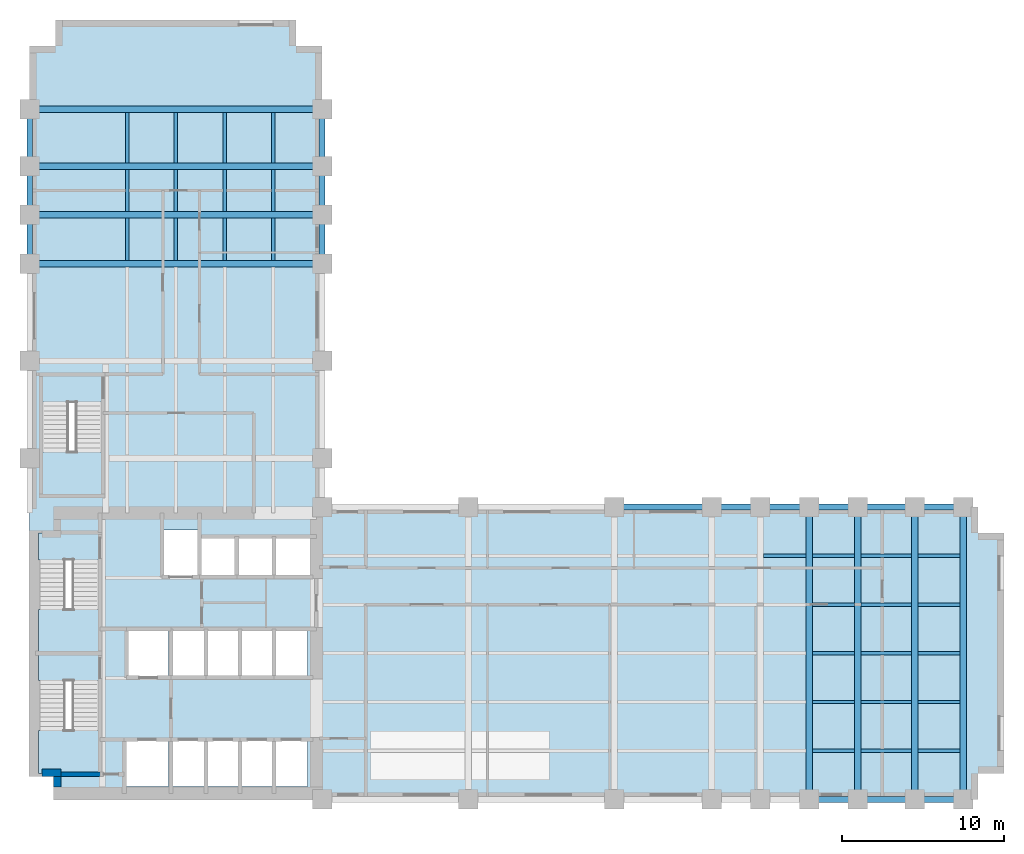
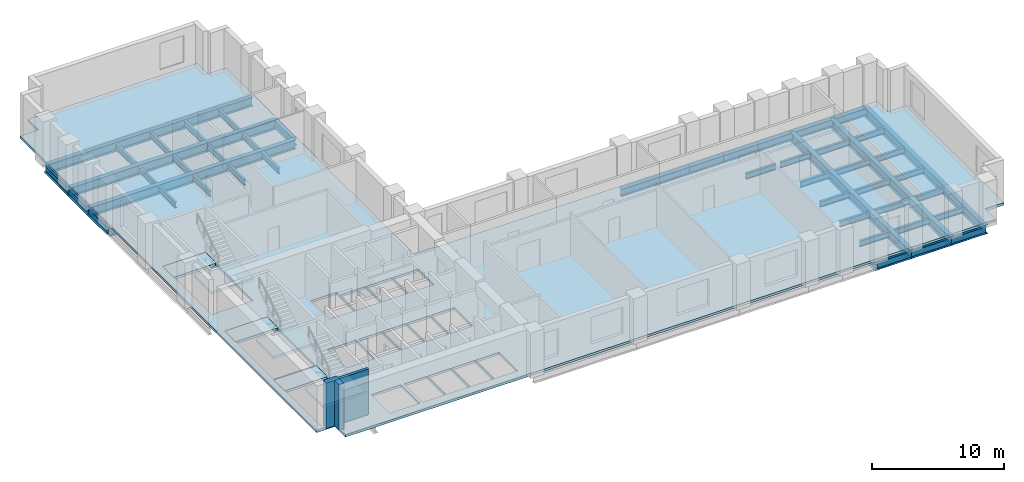
# One storey, part 2 of 7: 51 beams, 7 slabs, 3 walls, 3 elements without a shape of their own.
"""IFC4 building model written with IfcOpenShell, lengths in metres."""

from ifc_helpers import new_model, si_unit, direction, frame, frame_2d, origin, origin_2d, place, context, subcontext, project, spatial, polyline, rectangle, i_section, outline, extrude, material, layer, layer_set, material_profile, profile_set, type_object, element, aggregate, save


model = new_model("IFC4")

# Units and contexts
model_context = context("Model", 3, precision=1e-05, world=origin(), true_north=direction((0.0, 1.0)))
body_context = subcontext(model_context, "Body", "Model", "MODEL_VIEW")
ifc_project = project(units=[si_unit("LENGTHUNIT", "METRE"), si_unit("AREAUNIT", "SQUARE_METRE"), si_unit("VOLUMEUNIT", "CUBIC_METRE"), si_unit("PLANEANGLEUNIT", "RADIAN"), si_unit("MASSUNIT", "GRAM", prefix="KILO")], contexts=[model_context])

# Site, building, storey
site_placement = place(None, origin())
site = spatial("IfcSite", under=ifc_project, at=site_placement, CompositionType="ELEMENT")
building_placement = place(site_placement, origin())
building = spatial("IfcBuilding", under=site, at=building_placement, Name="Mawjdan Bourse Tower", CompositionType="ELEMENT")
storey_placement = place(building_placement, frame((0.0, 0.0, 67.800048828125)))
storey = spatial("IfcBuildingStorey", under=building, at=storey_placement, Name="L15", CompositionType="ELEMENT", Elevation=67.800048828125)

# Beams
ifc_material_1 = material(Name="Structural Steel S355", Category="steel")
ifc_material_profile_1 = material_profile(ifc_material_1, i_section(OverallWidth=0.39892578125, OverallDepth=0.85595703125, WebThickness=0.018310546875, FlangeThickness=0.029296875, FilletRadius=0.0234375, at=origin_2d()), Name="W33X201")
ifc_profile_set_1 = profile_set([ifc_material_profile_1], Name="Structural Steel S355")
beam_type_1 = type_object("IfcBeamType", Name="GRD-W33X201", PredefinedType="BEAM", material=ifc_profile_set_1)
for number, where, z_axis, x_axis, name in (
    (1, (54.0, 3.0, -0.64794921875), (0.0, 1.0, 0.0), (-1.0, 0.0, 0.0), "L15 East Wing Clear-Span Girder 006"),
    (2, (57.0, 3.0, -0.64794921875), (0.0, 1.0, 0.0), (-1.0, 0.0, 0.0), "L15 East Wing Clear-Span Girder 007"),
    (3, (60.5, 3.0, -0.64794921875), (0.0, 1.0, 0.0), (-1.0, 0.0, 0.0), "L15 East Wing Clear-Span Girder 008"),
    (4, (63.5, 3.0, -0.64794921875), (0.0, 1.0, 0.0), (-1.0, 0.0, 0.0), "L15 East Wing Clear-Span Girder 009"),
    (5, (6.0, 36.0, -0.64794921875), (1.0, 0.0, 0.0), (0.0, 1.0, 0.0), "L15 North Wing Clear-Span Girder 073"),
    (6, (6.0, 39.0, -0.64794921875), (1.0, 0.0, 0.0), (0.0, 1.0, 0.0), "L15 North Wing Clear-Span Girder 074"),
    (7, (6.0, 42.0, -0.64794921875), (1.0, 0.0, 0.0), (0.0, 1.0, 0.0), "L15 North Wing Clear-Span Girder 075"),
    (8, (6.0, 45.5, -0.64794921875), (1.0, 0.0, 0.0), (0.0, 1.0, 0.0), "L15 North Wing Clear-Span Girder 076"),
):
    element("IfcBeam", number, at=place(storey_placement, frame(where, z_axis=z_axis, x_axis=x_axis)), inside=storey, type_object=beam_type_1, Name=name, PredefinedType="BEAM", context=body_context, shape_type="SweptSolid", body=[
        extrude(i_section(OverallWidth=0.39892578125, OverallDepth=0.85595703125, WebThickness=0.018310546875, FlangeThickness=0.029296875, FilletRadius=0.0234375, at=origin_2d()), origin(), (0.0, 0.0, 1.0), 18.0),
    ])
ifc_material_profile_2 = material_profile(ifc_material_1, i_section(OverallWidth=0.2119140625, OverallDepth=0.5439453125, WebThickness=0.01318359375, FlangeThickness=0.021240234375, FilletRadius=0.01708984375, at=origin_2d()), Name="W21X83")
ifc_profile_set_2 = profile_set([ifc_material_profile_2], Name="Structural Steel S355")
beam_type_2 = type_object("IfcBeamType", Name="JST-W21X83", PredefinedType="JOIST", material=ifc_profile_set_2)
beam_1_placement = place(storey_placement, frame((54.197509765625, 6.0, -0.491943359375), z_axis=(1.0, 0.0, 0.0), x_axis=(0.0, 1.0, 0.0)))
element("IfcBeam", 9, at=beam_1_placement, inside=storey, type_object=beam_type_2, Name="L15 East Wing Composite Joist 031", PredefinedType="JOIST", context=body_context, shape_type="SweptSolid", body=[
    extrude(i_section(OverallWidth=0.2119140625, OverallDepth=0.5439453125, WebThickness=0.01318359375, FlangeThickness=0.021240234375, FilletRadius=0.01708984375, at=origin_2d()), origin(), (0.0, 0.0, 1.0), 2.60498046875),
])
beam_2_placement = place(storey_placement, frame((57.197509765625, 6.0, -0.491943359375), z_axis=(1.0, 0.0, 0.0), x_axis=(0.0, 1.0, 0.0)))
element("IfcBeam", 10, at=beam_2_placement, inside=storey, type_object=beam_type_2, Name="L15 East Wing Composite Joist 032", PredefinedType="JOIST", context=body_context, shape_type="SweptSolid", body=[
    extrude(i_section(OverallWidth=0.2119140625, OverallDepth=0.5439453125, WebThickness=0.01318359375, FlangeThickness=0.021240234375, FilletRadius=0.01708984375, at=origin_2d()), origin(), (0.0, 0.0, 1.0), 3.10498046875),
])
for number, where, z_axis, x_axis, name in (
    (11, (60.697509765625, 6.0, -0.491943359375), (1.0, 0.0, 0.0), (0.0, 1.0, 0.0), "L15 East Wing Composite Joist 033"),
    (12, (54.197509765625, 9.0, -0.491943359375), (1.0, 0.0, 0.0), (0.0, 1.0, 0.0), "L15 East Wing Composite Joist 039"),
):
    element("IfcBeam", number, at=place(storey_placement, frame(where, z_axis=z_axis, x_axis=x_axis)), inside=storey, type_object=beam_type_2, Name=name, PredefinedType="JOIST", context=body_context, shape_type="SweptSolid", body=[
        extrude(i_section(OverallWidth=0.2119140625, OverallDepth=0.5439453125, WebThickness=0.01318359375, FlangeThickness=0.021240234375, FilletRadius=0.01708984375, at=origin_2d()), origin(), (0.0, 0.0, 1.0), 2.60498046875),
    ])
beam_3_placement = place(storey_placement, frame((57.197509765625, 9.0, -0.491943359375), z_axis=(1.0, 0.0, 0.0), x_axis=(0.0, 1.0, 0.0)))
element("IfcBeam", 13, at=beam_3_placement, inside=storey, type_object=beam_type_2, Name="L15 East Wing Composite Joist 040", PredefinedType="JOIST", context=body_context, shape_type="SweptSolid", body=[
    extrude(i_section(OverallWidth=0.2119140625, OverallDepth=0.5439453125, WebThickness=0.01318359375, FlangeThickness=0.021240234375, FilletRadius=0.01708984375, at=origin_2d()), origin(), (0.0, 0.0, 1.0), 3.10498046875),
])
for number, where, z_axis, x_axis, name in (
    (14, (60.697509765625, 9.0, -0.491943359375), (1.0, 0.0, 0.0), (0.0, 1.0, 0.0), "L15 East Wing Composite Joist 041"),
    (15, (54.197509765625, 12.0, -0.491943359375), (1.0, 0.0, 0.0), (0.0, 1.0, 0.0), "L15 East Wing Composite Joist 047"),
):
    element("IfcBeam", number, at=place(storey_placement, frame(where, z_axis=z_axis, x_axis=x_axis)), inside=storey, type_object=beam_type_2, Name=name, PredefinedType="JOIST", context=body_context, shape_type="SweptSolid", body=[
        extrude(i_section(OverallWidth=0.2119140625, OverallDepth=0.5439453125, WebThickness=0.01318359375, FlangeThickness=0.021240234375, FilletRadius=0.01708984375, at=origin_2d()), origin(), (0.0, 0.0, 1.0), 2.60498046875),
    ])
beam_4_placement = place(storey_placement, frame((57.197509765625, 12.0, -0.491943359375), z_axis=(1.0, 0.0, 0.0), x_axis=(0.0, 1.0, 0.0)))
element("IfcBeam", 16, at=beam_4_placement, inside=storey, type_object=beam_type_2, Name="L15 East Wing Composite Joist 048", PredefinedType="JOIST", context=body_context, shape_type="SweptSolid", body=[
    extrude(i_section(OverallWidth=0.2119140625, OverallDepth=0.5439453125, WebThickness=0.01318359375, FlangeThickness=0.021240234375, FilletRadius=0.01708984375, at=origin_2d()), origin(), (0.0, 0.0, 1.0), 3.10498046875),
])
for number, where, z_axis, x_axis, name in (
    (17, (60.697509765625, 12.0, -0.491943359375), (1.0, 0.0, 0.0), (0.0, 1.0, 0.0), "L15 East Wing Composite Joist 049"),
    (18, (54.197509765625, 15.0, -0.491943359375), (1.0, 0.0, 0.0), (0.0, 1.0, 0.0), "L15 East Wing Composite Joist 055"),
):
    element("IfcBeam", number, at=place(storey_placement, frame(where, z_axis=z_axis, x_axis=x_axis)), inside=storey, type_object=beam_type_2, Name=name, PredefinedType="JOIST", context=body_context, shape_type="SweptSolid", body=[
        extrude(i_section(OverallWidth=0.2119140625, OverallDepth=0.5439453125, WebThickness=0.01318359375, FlangeThickness=0.021240234375, FilletRadius=0.01708984375, at=origin_2d()), origin(), (0.0, 0.0, 1.0), 2.60498046875),
    ])
beam_5_placement = place(storey_placement, frame((57.197509765625, 15.0, -0.491943359375), z_axis=(1.0, 0.0, 0.0), x_axis=(0.0, 1.0, 0.0)))
element("IfcBeam", 19, at=beam_5_placement, inside=storey, type_object=beam_type_2, Name="L15 East Wing Composite Joist 056", PredefinedType="JOIST", context=body_context, shape_type="SweptSolid", body=[
    extrude(i_section(OverallWidth=0.2119140625, OverallDepth=0.5439453125, WebThickness=0.01318359375, FlangeThickness=0.021240234375, FilletRadius=0.01708984375, at=origin_2d()), origin(), (0.0, 0.0, 1.0), 3.10498046875),
])
for number, where, z_axis, x_axis, name in (
    (20, (60.697509765625, 15.0, -0.491943359375), (1.0, 0.0, 0.0), (0.0, 1.0, 0.0), "L15 East Wing Composite Joist 057"),
    (21, (51.197509765625, 18.0, -0.491943359375), (1.0, 0.0, 0.0), (0.0, 1.0, 0.0), "L15 East Wing Composite Joist 062"),
    (22, (54.197509765625, 18.0, -0.491943359375), (1.0, 0.0, 0.0), (0.0, 1.0, 0.0), "L15 East Wing Composite Joist 063"),
):
    element("IfcBeam", number, at=place(storey_placement, frame(where, z_axis=z_axis, x_axis=x_axis)), inside=storey, type_object=beam_type_2, Name=name, PredefinedType="JOIST", context=body_context, shape_type="SweptSolid", body=[
        extrude(i_section(OverallWidth=0.2119140625, OverallDepth=0.5439453125, WebThickness=0.01318359375, FlangeThickness=0.021240234375, FilletRadius=0.01708984375, at=origin_2d()), origin(), (0.0, 0.0, 1.0), 2.60498046875),
    ])
beam_6_placement = place(storey_placement, frame((57.197509765625, 18.0, -0.491943359375), z_axis=(1.0, 0.0, 0.0), x_axis=(0.0, 1.0, 0.0)))
element("IfcBeam", 23, at=beam_6_placement, inside=storey, type_object=beam_type_2, Name="L15 East Wing Composite Joist 064", PredefinedType="JOIST", context=body_context, shape_type="SweptSolid", body=[
    extrude(i_section(OverallWidth=0.2119140625, OverallDepth=0.5439453125, WebThickness=0.01318359375, FlangeThickness=0.021240234375, FilletRadius=0.01708984375, at=origin_2d()), origin(), (0.0, 0.0, 1.0), 3.10498046875),
])
for number, where, z_axis, x_axis, name in (
    (24, (60.697509765625, 18.0, -0.491943359375), (1.0, 0.0, 0.0), (0.0, 1.0, 0.0), "L15 East Wing Composite Joist 065"),
    (25, (12.0, 36.197509765625, -0.491943359375), (0.0, 1.0, 0.0), (-1.0, 0.0, 0.0), "L15 North Wing Composite Joist 092"),
    (26, (12.0, 39.197509765625, -0.491943359375), (0.0, 1.0, 0.0), (-1.0, 0.0, 0.0), "L15 North Wing Composite Joist 093"),
):
    element("IfcBeam", number, at=place(storey_placement, frame(where, z_axis=z_axis, x_axis=x_axis)), inside=storey, type_object=beam_type_2, Name=name, PredefinedType="JOIST", context=body_context, shape_type="SweptSolid", body=[
        extrude(i_section(OverallWidth=0.2119140625, OverallDepth=0.5439453125, WebThickness=0.01318359375, FlangeThickness=0.021240234375, FilletRadius=0.01708984375, at=origin_2d()), origin(), (0.0, 0.0, 1.0), 2.60498046875),
    ])
beam_7_placement = place(storey_placement, frame((12.0, 42.197509765625, -0.491943359375), z_axis=(0.0, 1.0, 0.0), x_axis=(-1.0, 0.0, 0.0)))
element("IfcBeam", 27, at=beam_7_placement, inside=storey, type_object=beam_type_2, Name="L15 North Wing Composite Joist 094", PredefinedType="JOIST", context=body_context, shape_type="SweptSolid", body=[
    extrude(i_section(OverallWidth=0.2119140625, OverallDepth=0.5439453125, WebThickness=0.01318359375, FlangeThickness=0.021240234375, FilletRadius=0.01708984375, at=origin_2d()), origin(), (0.0, 0.0, 1.0), 3.10498046875),
])
for number, where, z_axis, x_axis, name in (
    (28, (15.0, 36.197509765625, -0.491943359375), (0.0, 1.0, 0.0), (-1.0, 0.0, 0.0), "L15 North Wing Composite Joist 098"),
    (29, (15.0, 39.197509765625, -0.491943359375), (0.0, 1.0, 0.0), (-1.0, 0.0, 0.0), "L15 North Wing Composite Joist 099"),
):
    element("IfcBeam", number, at=place(storey_placement, frame(where, z_axis=z_axis, x_axis=x_axis)), inside=storey, type_object=beam_type_2, Name=name, PredefinedType="JOIST", context=body_context, shape_type="SweptSolid", body=[
        extrude(i_section(OverallWidth=0.2119140625, OverallDepth=0.5439453125, WebThickness=0.01318359375, FlangeThickness=0.021240234375, FilletRadius=0.01708984375, at=origin_2d()), origin(), (0.0, 0.0, 1.0), 2.60498046875),
    ])
beam_8_placement = place(storey_placement, frame((15.0, 42.197509765625, -0.491943359375), z_axis=(0.0, 1.0, 0.0), x_axis=(-1.0, 0.0, 0.0)))
element("IfcBeam", 30, at=beam_8_placement, inside=storey, type_object=beam_type_2, Name="L15 North Wing Composite Joist 100", PredefinedType="JOIST", context=body_context, shape_type="SweptSolid", body=[
    extrude(i_section(OverallWidth=0.2119140625, OverallDepth=0.5439453125, WebThickness=0.01318359375, FlangeThickness=0.021240234375, FilletRadius=0.01708984375, at=origin_2d()), origin(), (0.0, 0.0, 1.0), 3.10498046875),
])
for number, where, z_axis, x_axis, name in (
    (31, (18.0, 36.197509765625, -0.491943359375), (0.0, 1.0, 0.0), (-1.0, 0.0, 0.0), "L15 North Wing Composite Joist 104"),
    (32, (18.0, 39.197509765625, -0.491943359375), (0.0, 1.0, 0.0), (-1.0, 0.0, 0.0), "L15 North Wing Composite Joist 105"),
):
    element("IfcBeam", number, at=place(storey_placement, frame(where, z_axis=z_axis, x_axis=x_axis)), inside=storey, type_object=beam_type_2, Name=name, PredefinedType="JOIST", context=body_context, shape_type="SweptSolid", body=[
        extrude(i_section(OverallWidth=0.2119140625, OverallDepth=0.5439453125, WebThickness=0.01318359375, FlangeThickness=0.021240234375, FilletRadius=0.01708984375, at=origin_2d()), origin(), (0.0, 0.0, 1.0), 2.60498046875),
    ])
beam_9_placement = place(storey_placement, frame((18.0, 42.197509765625, -0.491943359375), z_axis=(0.0, 1.0, 0.0), x_axis=(-1.0, 0.0, 0.0)))
element("IfcBeam", 33, at=beam_9_placement, inside=storey, type_object=beam_type_2, Name="L15 North Wing Composite Joist 106", PredefinedType="JOIST", context=body_context, shape_type="SweptSolid", body=[
    extrude(i_section(OverallWidth=0.2119140625, OverallDepth=0.5439453125, WebThickness=0.01318359375, FlangeThickness=0.021240234375, FilletRadius=0.01708984375, at=origin_2d()), origin(), (0.0, 0.0, 1.0), 3.10498046875),
])
for number, where, z_axis, x_axis, name in (
    (34, (21.0, 36.197509765625, -0.491943359375), (0.0, 1.0, 0.0), (-1.0, 0.0, 0.0), "L15 North Wing Composite Joist 110"),
    (35, (21.0, 39.197509765625, -0.491943359375), (0.0, 1.0, 0.0), (-1.0, 0.0, 0.0), "L15 North Wing Composite Joist 111"),
):
    element("IfcBeam", number, at=place(storey_placement, frame(where, z_axis=z_axis, x_axis=x_axis)), inside=storey, type_object=beam_type_2, Name=name, PredefinedType="JOIST", context=body_context, shape_type="SweptSolid", body=[
        extrude(i_section(OverallWidth=0.2119140625, OverallDepth=0.5439453125, WebThickness=0.01318359375, FlangeThickness=0.021240234375, FilletRadius=0.01708984375, at=origin_2d()), origin(), (0.0, 0.0, 1.0), 2.60498046875),
    ])
beam_10_placement = place(storey_placement, frame((21.0, 42.197509765625, -0.491943359375), z_axis=(0.0, 1.0, 0.0), x_axis=(-1.0, 0.0, 0.0)))
element("IfcBeam", 36, at=beam_10_placement, inside=storey, type_object=beam_type_2, Name="L15 North Wing Composite Joist 112", PredefinedType="JOIST", context=body_context, shape_type="SweptSolid", body=[
    extrude(i_section(OverallWidth=0.2119140625, OverallDepth=0.5439453125, WebThickness=0.01318359375, FlangeThickness=0.021240234375, FilletRadius=0.01708984375, at=origin_2d()), origin(), (0.0, 0.0, 1.0), 3.10498046875),
])
ifc_material_profile_3 = material_profile(ifc_material_1, i_section(OverallWidth=0.35498046875, OverallDepth=0.696044921875, WebThickness=0.015380859375, FlangeThickness=0.02490234375, FilletRadius=0.019775390625, at=origin_2d()), Name="W27X146")
ifc_profile_set_3 = profile_set([ifc_material_profile_3], Name="Structural Steel S355")
beam_type_3 = type_object("IfcBeamType", Name="SPN-W27X146", PredefinedType="SPANDREL", material=ifc_profile_set_3)
beam_11_placement = place(storey_placement, frame((54.0, 3.0, -0.568115234375), z_axis=(1.0, 0.0, 0.0), x_axis=(0.0, 1.0, 0.0)))
element("IfcBeam", 37, at=beam_11_placement, inside=storey, type_object=beam_type_3, Name="L15 Perimeter Masonry-Shelf Spandrel 015", PredefinedType="SPANDREL", context=body_context, shape_type="SweptSolid", body=[
    extrude(i_section(OverallWidth=0.35498046875, OverallDepth=0.696044921875, WebThickness=0.015380859375, FlangeThickness=0.02490234375, FilletRadius=0.019775390625, at=origin_2d()), origin(), (0.0, 0.0, 1.0), 3.0),
])
beam_12_placement = place(storey_placement, frame((57.0, 3.0, -0.568115234375), z_axis=(1.0, 0.0, 0.0), x_axis=(0.0, 1.0, 0.0)))
element("IfcBeam", 38, at=beam_12_placement, inside=storey, type_object=beam_type_3, Name="L15 Perimeter Masonry-Shelf Spandrel 016", PredefinedType="SPANDREL", context=body_context, shape_type="SweptSolid", body=[
    extrude(i_section(OverallWidth=0.35498046875, OverallDepth=0.696044921875, WebThickness=0.015380859375, FlangeThickness=0.02490234375, FilletRadius=0.019775390625, at=origin_2d()), origin(), (0.0, 0.0, 1.0), 3.5),
])
beam_13_placement = place(storey_placement, frame((60.5, 3.0, -0.568115234375), z_axis=(1.0, 0.0, 0.0), x_axis=(0.0, 1.0, 0.0)))
element("IfcBeam", 39, at=beam_13_placement, inside=storey, type_object=beam_type_3, Name="L15 Perimeter Masonry-Shelf Spandrel 017", PredefinedType="SPANDREL", context=body_context, shape_type="SweptSolid", body=[
    extrude(i_section(OverallWidth=0.35498046875, OverallDepth=0.696044921875, WebThickness=0.015380859375, FlangeThickness=0.02490234375, FilletRadius=0.019775390625, at=origin_2d()), origin(), (0.0, 0.0, 1.0), 3.0),
])
beam_14_placement = place(storey_placement, frame((42.0, 21.0, -0.568115234375), z_axis=(1.0, 0.0, 0.0), x_axis=(0.0, 1.0, 0.0)))
element("IfcBeam", 40, at=beam_14_placement, inside=storey, type_object=beam_type_3, Name="L15 Perimeter Masonry-Shelf Spandrel 020", PredefinedType="SPANDREL", context=body_context, shape_type="SweptSolid", body=[
    extrude(i_section(OverallWidth=0.35498046875, OverallDepth=0.696044921875, WebThickness=0.015380859375, FlangeThickness=0.02490234375, FilletRadius=0.019775390625, at=origin_2d()), origin(), (0.0, 0.0, 1.0), 6.0),
])
for number, where, z_axis, x_axis, name in (
    (41, (48.0, 21.0, -0.568115234375), (1.0, 0.0, 0.0), (0.0, 1.0, 0.0), "L15 Perimeter Masonry-Shelf Spandrel 021"),
    (42, (51.0, 21.0, -0.568115234375), (1.0, 0.0, 0.0), (0.0, 1.0, 0.0), "L15 Perimeter Masonry-Shelf Spandrel 022"),
    (43, (54.0, 21.0, -0.568115234375), (1.0, 0.0, 0.0), (0.0, 1.0, 0.0), "L15 Perimeter Masonry-Shelf Spandrel 023"),
):
    element("IfcBeam", number, at=place(storey_placement, frame(where, z_axis=z_axis, x_axis=x_axis)), inside=storey, type_object=beam_type_3, Name=name, PredefinedType="SPANDREL", context=body_context, shape_type="SweptSolid", body=[
        extrude(i_section(OverallWidth=0.35498046875, OverallDepth=0.696044921875, WebThickness=0.015380859375, FlangeThickness=0.02490234375, FilletRadius=0.019775390625, at=origin_2d()), origin(), (0.0, 0.0, 1.0), 3.0),
    ])
beam_15_placement = place(storey_placement, frame((57.0, 21.0, -0.568115234375), z_axis=(1.0, 0.0, 0.0), x_axis=(0.0, 1.0, 0.0)))
element("IfcBeam", 44, at=beam_15_placement, inside=storey, type_object=beam_type_3, Name="L15 Perimeter Masonry-Shelf Spandrel 024", PredefinedType="SPANDREL", context=body_context, shape_type="SweptSolid", body=[
    extrude(i_section(OverallWidth=0.35498046875, OverallDepth=0.696044921875, WebThickness=0.015380859375, FlangeThickness=0.02490234375, FilletRadius=0.019775390625, at=origin_2d()), origin(), (0.0, 0.0, 1.0), 3.5),
])
for number, where, z_axis, x_axis, name in (
    (45, (60.5, 21.0, -0.568115234375), (1.0, 0.0, 0.0), (0.0, 1.0, 0.0), "L15 Perimeter Masonry-Shelf Spandrel 025"),
    (46, (6.0, 36.0, -0.568115234375), (0.0, 1.0, 0.0), (-1.0, 0.0, 0.0), "L15 North Wing Spandrel 080"),
    (47, (6.0, 39.0, -0.568115234375), (0.0, 1.0, 0.0), (-1.0, 0.0, 0.0), "L15 North Wing Spandrel 081"),
):
    element("IfcBeam", number, at=place(storey_placement, frame(where, z_axis=z_axis, x_axis=x_axis)), inside=storey, type_object=beam_type_3, Name=name, PredefinedType="SPANDREL", context=body_context, shape_type="SweptSolid", body=[
        extrude(i_section(OverallWidth=0.35498046875, OverallDepth=0.696044921875, WebThickness=0.015380859375, FlangeThickness=0.02490234375, FilletRadius=0.019775390625, at=origin_2d()), origin(), (0.0, 0.0, 1.0), 3.0),
    ])
beam_16_placement = place(storey_placement, frame((6.0, 42.0, -0.568115234375), z_axis=(0.0, 1.0, 0.0), x_axis=(-1.0, 0.0, 0.0)))
element("IfcBeam", 48, at=beam_16_placement, inside=storey, type_object=beam_type_3, Name="L15 North Wing Spandrel 082", PredefinedType="SPANDREL", context=body_context, shape_type="SweptSolid", body=[
    extrude(i_section(OverallWidth=0.35498046875, OverallDepth=0.696044921875, WebThickness=0.015380859375, FlangeThickness=0.02490234375, FilletRadius=0.019775390625, at=origin_2d()), origin(), (0.0, 0.0, 1.0), 3.5),
])
for number, where, z_axis, x_axis, name in (
    (49, (24.0, 36.0, -0.568115234375), (0.0, 1.0, 0.0), (-1.0, 0.0, 0.0), "L15 North Wing Spandrel 086"),
    (50, (24.0, 39.0, -0.568115234375), (0.0, 1.0, 0.0), (-1.0, 0.0, 0.0), "L15 North Wing Spandrel 087"),
):
    element("IfcBeam", number, at=place(storey_placement, frame(where, z_axis=z_axis, x_axis=x_axis)), inside=storey, type_object=beam_type_3, Name=name, PredefinedType="SPANDREL", context=body_context, shape_type="SweptSolid", body=[
        extrude(i_section(OverallWidth=0.35498046875, OverallDepth=0.696044921875, WebThickness=0.015380859375, FlangeThickness=0.02490234375, FilletRadius=0.019775390625, at=origin_2d()), origin(), (0.0, 0.0, 1.0), 3.0),
    ])
beam_17_placement = place(storey_placement, frame((24.0, 42.0, -0.568115234375), z_axis=(0.0, 1.0, 0.0), x_axis=(-1.0, 0.0, 0.0)))
element("IfcBeam", 51, at=beam_17_placement, inside=storey, type_object=beam_type_3, Name="L15 North Wing Spandrel 088", PredefinedType="SPANDREL", context=body_context, shape_type="SweptSolid", body=[
    extrude(i_section(OverallWidth=0.35498046875, OverallDepth=0.696044921875, WebThickness=0.015380859375, FlangeThickness=0.02490234375, FilletRadius=0.019775390625, at=origin_2d()), origin(), (0.0, 0.0, 1.0), 3.5),
])

# Stair, slabs
ifc_material_2 = material(Name="Concrete C50/60", Category="concrete")
stair_type = type_object("IfcStairType", Name="STR-CORE-1500", PredefinedType="HALF_TURN_STAIR", material=ifc_material_2)
stair_1_placement = place(storey_placement, origin())
stair_1 = element("IfcStair", 52, at=stair_1_placement, inside=storey, type_object=stair_type, Name="L15 Exit Stair 1 (Core South-West)", PredefinedType="HALF_TURN_STAIR")
ifc_layer_1 = layer(ifc_material_2, 0.22998046875)
ifc_layer_set_1 = layer_set([ifc_layer_1], Name="Concrete C50/60")
slab_type_1 = type_object("IfcSlabType", Name="SL-LND-230", PredefinedType="LANDING", material=ifc_layer_set_1)
slab_1_placement = place(storey_placement, frame((0.0, 0.0, -0.22998046875)))
slab_1 = element("IfcSlab", 53, at=slab_1_placement, type_object=slab_type_1, Name="ST1-L15 landing 1", PredefinedType="LANDING", context=body_context, shape_type="SweptSolid", body=[
    extrude(outline(polyline([(6.5400390625, 10.31005859375), (10.260009765625, 10.31005859375), (10.260009765625, 11.969970703125), (6.5400390625, 11.969970703125), (6.5400390625, 10.31005859375)])), origin(), (0.0, 0.0, 1.0), 0.22998046875),
])
slab_2_placement = place(storey_placement, frame((0.0, 0.0, 1.869873046875)))
slab_2 = element("IfcSlab", 54, at=slab_2_placement, type_object=slab_type_1, Name="ST1-L15 landing 2", PredefinedType="LANDING", context=body_context, shape_type="SweptSolid", body=[
    extrude(outline(polyline([(6.5400390625, 4.590087890625), (10.260009765625, 4.590087890625), (10.260009765625, 7.2548828125), (6.5400390625, 7.2548828125), (6.5400390625, 4.590087890625)])), origin(), (0.0, 0.0, 1.0), 0.22998046875),
])
aggregate(stair_1, [slab_1, slab_2])

stair_2_placement = place(storey_placement, origin())
stair_2 = element("IfcStair", 55, at=stair_2_placement, inside=storey, type_object=stair_type, Name="L15 Exit Stair 2 (Core North-West)", PredefinedType="HALF_TURN_STAIR")
slab_3_placement = place(storey_placement, frame((0.0, 0.0, -0.22998046875)))
slab_3 = element("IfcSlab", 56, at=slab_3_placement, type_object=slab_type_1, Name="ST2-L15 landing 1", PredefinedType="LANDING", context=body_context, shape_type="SweptSolid", body=[
    extrude(outline(polyline([(6.5400390625, 17.75), (10.260009765625, 17.75), (10.260009765625, 19.409912109375), (6.5400390625, 19.409912109375), (6.5400390625, 17.75)])), origin(), (0.0, 0.0, 1.0), 0.22998046875),
])
slab_4_placement = place(storey_placement, frame((0.0, 0.0, 1.869873046875)))
slab_4 = element("IfcSlab", 57, at=slab_4_placement, type_object=slab_type_1, Name="ST2-L15 landing 2", PredefinedType="LANDING", context=body_context, shape_type="SweptSolid", body=[
    extrude(outline(polyline([(6.5400390625, 12.030029296875), (10.260009765625, 12.030029296875), (10.260009765625, 14.695068359375), (6.5400390625, 14.695068359375), (6.5400390625, 12.030029296875)])), origin(), (0.0, 0.0, 1.0), 0.22998046875),
])
aggregate(stair_2, [slab_3, slab_4])

stair_3_placement = place(storey_placement, origin())
stair_3 = element("IfcStair", 58, at=stair_3_placement, inside=storey, type_object=stair_type, Name="L15 Exit Stair 3 (North Wing)", PredefinedType="HALF_TURN_STAIR")
slab_5_placement = place(storey_placement, frame((0.0, 0.0, -0.22998046875)))
slab_5 = element("IfcSlab", 59, at=slab_5_placement, type_object=slab_type_1, Name="ST3-L15 landing 1", PredefinedType="LANDING", context=body_context, shape_type="SweptSolid", body=[
    extrude(outline(polyline([(6.739990234375, 27.4599609375), (10.4599609375, 27.4599609375), (10.4599609375, 29.1201171875), (6.739990234375, 29.1201171875), (6.739990234375, 27.4599609375)])), origin(), (0.0, 0.0, 1.0), 0.22998046875),
])
slab_6_placement = place(storey_placement, frame((0.0, 0.0, 1.869873046875)))
slab_6 = element("IfcSlab", 60, at=slab_6_placement, type_object=slab_type_1, Name="ST3-L15 landing 2", PredefinedType="LANDING", context=body_context, shape_type="SweptSolid", body=[
    extrude(outline(polyline([(6.739990234375, 21.739990234375), (10.4599609375, 21.739990234375), (10.4599609375, 24.405029296875), (6.739990234375, 24.405029296875), (6.739990234375, 21.739990234375)])), origin(), (0.0, 0.0, 1.0), 0.22998046875),
])
aggregate(stair_3, [slab_5, slab_6])

# Slab
ifc_layer_2 = layer(ifc_material_2, 0.219970703125)
ifc_layer_set_2 = layer_set([ifc_layer_2], Name="Concrete C50/60")
slab_type_2 = type_object("IfcSlabType", Name="SL-TRD-220", PredefinedType="FLOOR", material=ifc_layer_set_2)
slab_7_placement = place(storey_placement, frame((0.0, 0.0, -0.219970703125)))
element("IfcSlab", 61, at=slab_7_placement, inside=storey, type_object=slab_type_2, Name="L15 Structural Floor Slab 1", PredefinedType="FLOOR", context=body_context, shape_type="SweptSolid", body=[
    extrude(outline(polyline([(7.60009765625, 3.0), (64.39990234375, 3.0), (64.39990234375, 4.60009765625), (66.0, 4.60009765625), (66.0, 19.39990234375), (64.39990234375, 19.39990234375), (64.39990234375, 21.0), (24.0, 21.0), (24.0, 49.39990234375), (22.39990234375, 49.39990234375), (22.39990234375, 51.0), (7.60009765625, 51.0), (7.60009765625, 49.39990234375), (6.0, 49.39990234375), (6.0, 4.60009765625), (7.60009765625, 4.60009765625), (7.60009765625, 3.0)]), holes=[polyline([(11.949951171875, 3.800048828125), (11.949951171875, 6.60009765625), (14.550048828125, 6.60009765625), (14.550048828125, 3.800048828125), (11.949951171875, 3.800048828125)]), polyline([(14.800048828125, 3.800048828125), (14.800048828125, 6.60009765625), (16.800048828125, 6.60009765625), (16.800048828125, 3.800048828125), (14.800048828125, 3.800048828125)]), polyline([(10.260009765625, 11.969970703125), (10.260009765625, 10.31005859375), (10.199951171875, 10.31005859375), (10.199951171875, 4.64990234375), (6.60009765625, 4.64990234375), (6.60009765625, 10.31005859375), (6.5400390625, 10.31005859375), (6.5400390625, 11.969970703125), (10.260009765625, 11.969970703125)]), polyline([(12.050048828125, 13.39990234375), (14.550048828125, 13.39990234375), (14.550048828125, 10.60009765625), (12.050048828125, 10.60009765625), (12.050048828125, 13.39990234375)]), polyline([(6.60009765625, 17.75), (6.5400390625, 17.75), (6.5400390625, 19.409912109375), (10.260009765625, 19.409912109375), (10.260009765625, 17.75), (10.199951171875, 17.75), (10.199951171875, 12.090087890625), (6.60009765625, 12.090087890625), (6.60009765625, 17.75)]), polyline([(14.199951171875, 16.800048828125), (14.199951171875, 19.60009765625), (16.39990234375, 19.60009765625), (16.39990234375, 16.800048828125), (14.199951171875, 16.800048828125)]), polyline([(10.4599609375, 27.4599609375), (10.39990234375, 27.4599609375), (10.39990234375, 21.800048828125), (6.800048828125, 21.800048828125), (6.800048828125, 27.4599609375), (6.739990234375, 27.4599609375), (6.739990234375, 29.1201171875), (10.4599609375, 29.1201171875), (10.4599609375, 27.4599609375)]), polyline([(16.89990234375, 3.800048828125), (16.89990234375, 6.60009765625), (18.89990234375, 6.60009765625), (18.89990234375, 3.800048828125), (16.89990234375, 3.800048828125)]), polyline([(19.0, 3.800048828125), (19.0, 6.60009765625), (21.0, 6.60009765625), (21.0, 3.800048828125), (19.0, 3.800048828125)]), polyline([(21.10009765625, 3.800048828125), (21.10009765625, 6.60009765625), (23.10009765625, 6.60009765625), (23.10009765625, 3.800048828125), (21.10009765625, 3.800048828125)]), polyline([(14.800048828125, 13.39990234375), (16.800048828125, 13.39990234375), (16.800048828125, 10.60009765625), (14.800048828125, 10.60009765625), (14.800048828125, 13.39990234375)]), polyline([(16.89990234375, 13.39990234375), (18.89990234375, 13.39990234375), (18.89990234375, 10.60009765625), (16.89990234375, 10.60009765625), (16.89990234375, 13.39990234375)]), polyline([(19.0, 10.60009765625), (19.0, 13.39990234375), (21.0, 13.39990234375), (21.0, 10.60009765625), (19.0, 10.60009765625)]), polyline([(21.10009765625, 10.60009765625), (21.10009765625, 13.39990234375), (23.10009765625, 13.39990234375), (23.10009765625, 10.60009765625), (21.10009765625, 10.60009765625)]), polyline([(16.5, 16.800048828125), (16.5, 19.14990234375), (18.699951171875, 19.14990234375), (18.699951171875, 16.800048828125), (16.5, 16.800048828125)]), polyline([(18.800048828125, 19.14990234375), (21.0, 19.14990234375), (21.0, 16.800048828125), (18.800048828125, 16.800048828125), (18.800048828125, 19.14990234375)]), polyline([(21.10009765625, 19.14990234375), (23.300048828125, 19.14990234375), (23.300048828125, 16.800048828125), (21.10009765625, 16.800048828125), (21.10009765625, 19.14990234375)])]), origin(), (0.0, 0.0, 1.0), 0.219970703125),
])

# Walls
ifc_material_3 = material(Name="Concrete C60/75", Category="concrete")
ifc_layer_3 = layer(ifc_material_3, 0.449951171875)
ifc_layer_set_3 = layer_set([ifc_layer_3], Name="Concrete C60/75")
wall_type_1 = type_object("IfcWallType", Name="WL-CORE-450", PredefinedType="SHEAR", material=ifc_layer_set_3)
wall_1_placement = place(storey_placement, frame((6.75, 4.64990234375, 0.0), z_axis=(0.0, 0.0, 1.0), x_axis=(1.0, 0.0, 0.0)))
element("IfcWall", 62, at=wall_1_placement, inside=storey, type_object=wall_type_1, Name="L15 Rear Core Shear Wall SW-X", PredefinedType="SHEAR", context=body_context, shape_type="SweptSolid", body=[
    extrude(rectangle(XDim=1.175048828125, YDim=0.449951171875, at=frame_2d((0.58740234375, 0.0))), origin(), (0.0, 0.0, 1.0), 4.199951171875),
])
wall_2_placement = place(storey_placement, frame((7.699951171875, 3.75, 0.0), z_axis=(0.0, 0.0, 1.0), x_axis=(0.0, 1.0, 0.0)))
element("IfcWall", 63, at=wall_2_placement, inside=storey, type_object=wall_type_1, Name="L15 Rear Core Shear Wall SW-Y", PredefinedType="SHEAR", context=body_context, shape_type="SweptSolid", body=[
    extrude(rectangle(XDim=0.675048828125, YDim=0.449951171875, at=frame_2d((0.33740234375, 0.0))), origin(), (0.0, 0.0, 1.0), 4.199951171875),
])
ifc_layer_4 = layer(ifc_material_2, 0.25)
ifc_layer_set_4 = layer_set([ifc_layer_4], Name="Concrete C50/60")
wall_type_2 = type_object("IfcWallType", Name="WL-STRW-250", PredefinedType="SHEAR", material=ifc_layer_set_4)
wall_3_placement = place(storey_placement, frame((7.699951171875, 4.550048828125, 0.0), z_axis=(0.0, 0.0, 1.0), x_axis=(1.0, 0.0, 0.0)))
element("IfcWall", 64, at=wall_3_placement, inside=storey, type_object=wall_type_2, Name="L15 Stairwell ST1 South Shaft Wall", PredefinedType="SHEAR", context=body_context, shape_type="SweptSolid", body=[
    extrude(rectangle(XDim=2.755126953125, YDim=0.25, at=frame_2d((1.37744140625, 0.0))), origin(), (0.0, 0.0, 1.0), 4.199951171875),
])

save(model, "model.ifc")
